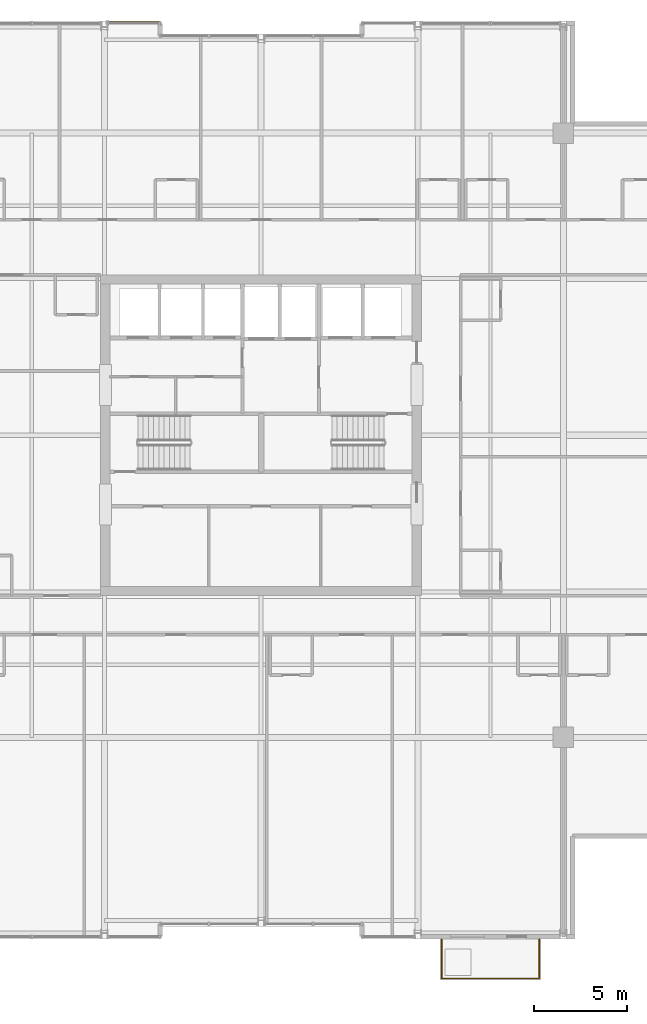
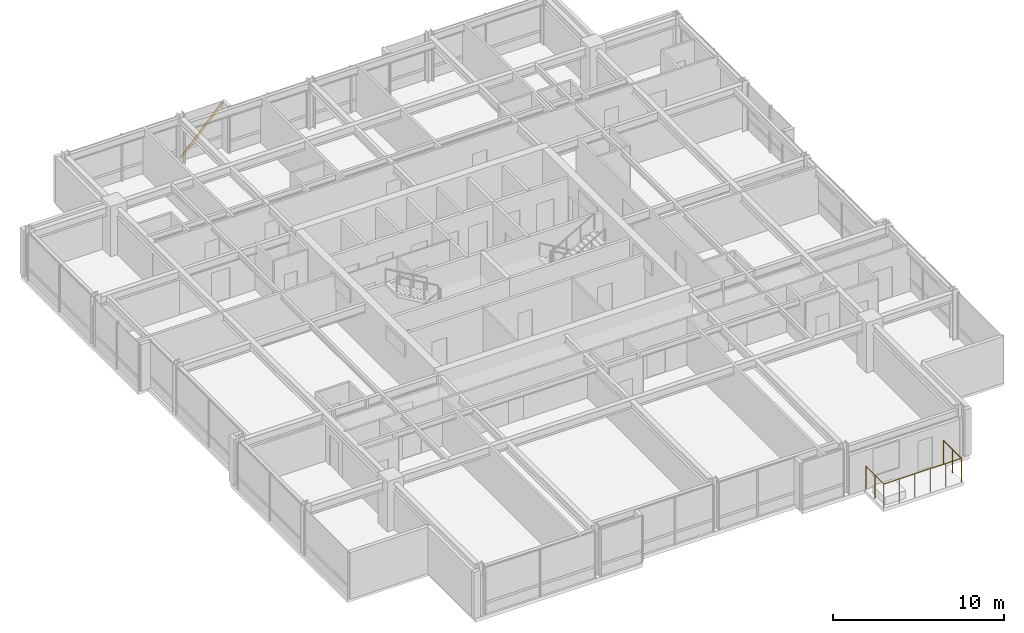
# One storey, part 31 of 31: 1 railing, 1 shading device.
"""IFC4 building model written with IfcOpenShell, lengths in metres."""

from ifc_helpers import new_model, si_unit, direction, frame, origin, origin_2d, place, context, subcontext, project, spatial, hollow_rectangle, circle, extrude, material, material_profile, profile_set, type_object, element, save


model = new_model("IFC4")

# Units and contexts
model_context = context("Model", 3, precision=1e-05, world=origin(), true_north=direction((0.0, 1.0)))
body_context = subcontext(model_context, "Body", "Model", "MODEL_VIEW")
ifc_project = project(units=[si_unit("LENGTHUNIT", "METRE"), si_unit("AREAUNIT", "SQUARE_METRE"), si_unit("VOLUMEUNIT", "CUBIC_METRE"), si_unit("PLANEANGLEUNIT", "RADIAN"), si_unit("MASSUNIT", "GRAM", prefix="KILO")], contexts=[model_context])

# Site, building, storey
site_placement = place(None, origin())
site = spatial("IfcSite", under=ifc_project, at=site_placement, CompositionType="ELEMENT")
building_placement = place(site_placement, origin())
building = spatial("IfcBuilding", under=site, at=building_placement, Name="Drelvath Grand Hotel", CompositionType="ELEMENT")
storey_placement = place(building_placement, frame((0.0, 0.0, 244.699951171875)))
storey = spatial("IfcBuildingStorey", under=building, at=storey_placement, Name="L64", CompositionType="ELEMENT", Elevation=244.699951171875)

# Shading device
ifc_material_1 = material(Name="Platinum-Mist Anodised Aluminium", Category="aluminium")
ifc_material_profile = material_profile(ifc_material_1, hollow_rectangle(XDim=0.06494140625, YDim=0.159912109375, WallThickness=0.00390625, at=origin_2d()), Name="HSS160X65X4")
ifc_profile_set = profile_set([ifc_material_profile], Name="Platinum-Mist Anodised Aluminium")
shading_device_type = type_object("IfcShadingDeviceType", Name="Diagonal Solar Fin Platinum Anodised HSS160X65X4", PredefinedType="USERDEFINED", material=ifc_profile_set)
shading_device_placement = place(storey_placement, frame((-8.2216796875, 49.159912109375, 0.179931640625), z_axis=(0.687540023245, 0.0, 0.726146484145), x_axis=(0.0, 1.0, 0.0)))
element("IfcShadingDevice", 1, at=shading_device_placement, inside=storey, type_object=shading_device_type, Name="L64 Diagonal Anodised Fin CW05-L64-NW3", ObjectType="FIN", PredefinedType="USERDEFINED", context=body_context, shape_type="SweptSolid", body=[
    extrude(hollow_rectangle(XDim=0.06494140625, YDim=0.159912109375, WallThickness=0.00390625, at=origin_2d()), origin(), (0.0, 0.0, 1.0), 4.104248046875),
])

# Railing
ifc_material_2 = material(Name="Anodised Aluminium and Laminated Glass Balustrade", Category="aluminium")
railing_type = type_object("IfcRailingType", Name="Raised Planter Edge Balustrade 1700", PredefinedType="BALUSTRADE", material=ifc_material_2)
railing_placement = place(storey_placement, frame((9.679931640625, -0.02001953125, 0.0)))
element("IfcRailing", 2, at=railing_placement, inside=storey, type_object=railing_type, Name="L64 Tree Balcony Perimeter Balustrade 1", PredefinedType="BALUSTRADE", context=body_context, shape_type="SweptSolid", body=[
    extrude(circle(Radius=0.02392578125, at=origin_2d()), frame((0.0, 0.0, 1.67578125), z_axis=(0.0, -1.0, 0.0), x_axis=(1.0, 0.0, 0.0)), (0.0, 0.0, 1.0), 2.10009765625),
    extrude(circle(Radius=0.02392578125, at=origin_2d()), frame((0.0, -2.10009765625, 1.67578125), z_axis=(1.0, 0.0, 0.0), x_axis=(0.0, 1.0, 0.0)), (0.0, 0.0, 1.0), 5.239990234375),
    extrude(circle(Radius=0.02392578125, at=origin_2d()), frame((5.239990234375, -2.10009765625, 1.67578125), z_axis=(0.0, 1.0, 0.0), x_axis=(-1.0, 0.0, 0.0)), (0.0, 0.0, 1.0), 2.10009765625),
    extrude(circle(Radius=0.02099609375, at=origin_2d()), origin(), (0.0, 0.0, 1.0), 1.65185546875),
    extrude(circle(Radius=0.02099609375, at=origin_2d()), frame((0.0, -1.050048828125, 0.0)), (0.0, 0.0, 1.0), 1.65185546875),
    extrude(circle(Radius=0.02099609375, at=origin_2d()), frame((0.0, -2.10009765625, 0.0)), (0.0, 0.0, 1.0), 1.65185546875),
    extrude(circle(Radius=0.02099609375, at=origin_2d()), frame((1.048095703125, -2.10009765625, 0.0)), (0.0, 0.0, 1.0), 1.65185546875),
    extrude(circle(Radius=0.02099609375, at=origin_2d()), frame((2.095947265625, -2.10009765625, 0.0)), (0.0, 0.0, 1.0), 1.65185546875),
    extrude(circle(Radius=0.02099609375, at=origin_2d()), frame((3.14404296875, -2.10009765625, 0.0)), (0.0, 0.0, 1.0), 1.65185546875),
    extrude(circle(Radius=0.02099609375, at=origin_2d()), frame((4.19189453125, -2.10009765625, 0.0)), (0.0, 0.0, 1.0), 1.65185546875),
    extrude(circle(Radius=0.02099609375, at=origin_2d()), frame((5.239990234375, -2.10009765625, 0.0)), (0.0, 0.0, 1.0), 1.65185546875),
    extrude(circle(Radius=0.02099609375, at=origin_2d()), frame((5.239990234375, -1.050048828125, 0.0)), (0.0, 0.0, 1.0), 1.65185546875),
    extrude(circle(Radius=0.02099609375, at=origin_2d()), frame((5.239990234375, 0.0, 0.0)), (0.0, 0.0, 1.0), 1.65185546875),
])

save(model, "model.ifc")
